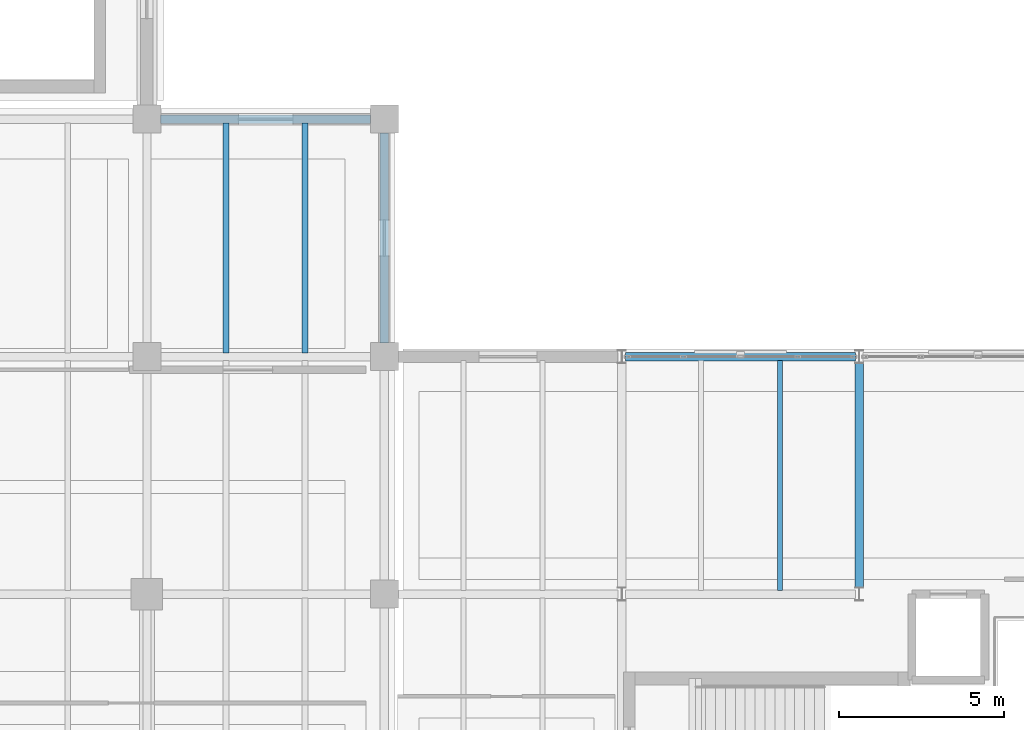
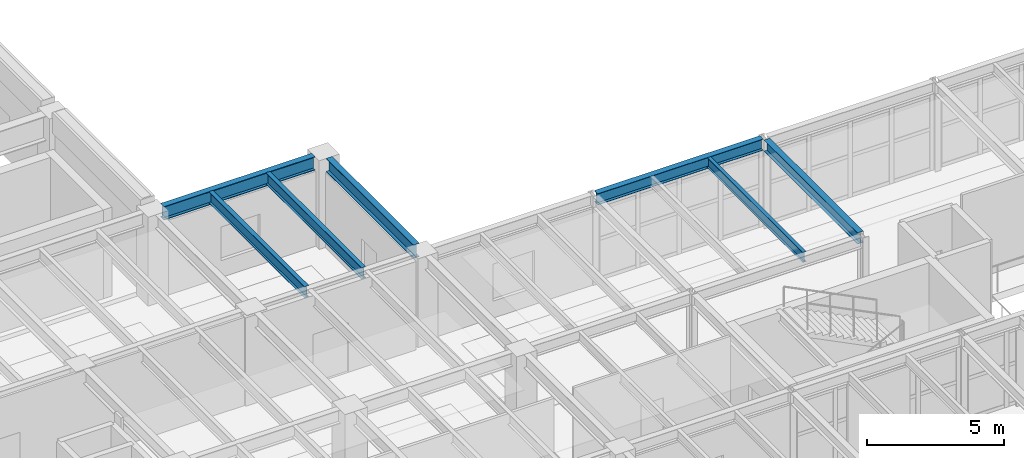
# One storey, part 18 of 59: 7 beams.
"""IFC4 building model written with IfcOpenShell, lengths in metres."""

import ifcopenshell
import ifcopenshell.guid

model = None  # the IFC model being written
_history = None  # IfcOwnerHistory: only IFC2X3 demands one
_inside = {}  # id of a spatial element -> (the spatial element, [elements in it])
_under = {}  # id of a project, library or spatial element -> (it, [spatial elements below it])
_declared = {}  # id of a project -> (the project, [libraries it declares])
_typed = {}  # id of a type object -> (the type object, [elements of that type])
_made_of = {}  # id of a material, layer set ... -> (it, [elements and type objects made of it])


def new_model(schema):
    """Start an empty IFC model of exactly this schema.

    Asked for "IFC4X3", IfcOpenShell would pick the latest addendum, in which some entities
    have other attributes; the version numbers below select the first issue.
    IFC2X3 requires an IfcOwnerHistory on every rooted entity: one is made here for all.
    """
    global model, _history
    if schema == "IFC4X3":
        model = ifcopenshell.file(schema_version=(4, 3, 0, 0))
    else:
        model = ifcopenshell.file(schema=schema)
    _inside.clear()
    _under.clear()
    _declared.clear()
    _typed.clear()
    _made_of.clear()
    _history = None
    if model.schema == "IFC2X3":
        org = make("IfcOrganization", Name="unknown")
        user = make(
            "IfcPersonAndOrganization",
            ThePerson=make("IfcPerson", FamilyName="unknown"),
            TheOrganization=org,
        )
        app = make(
            "IfcApplication",
            ApplicationDeveloper=org,
            Version="unknown",
            ApplicationFullName="unknown",
            ApplicationIdentifier="unknown",
        )
        _history = make(
            "IfcOwnerHistory",
            OwningUser=user,
            OwningApplication=app,
            ChangeAction="ADDED",
            CreationDate=0,
        )
    return model


def make(cls, **values):
    """One entity of the class cls with the attributes given. An attribute that is None is left unset."""
    return model.create_entity(
        cls, **{name: value for name, value in values.items() if value is not None}
    )


def rooted(cls, **values):
    """An entity with a GlobalId (a new one), such as an element, a storey or a relation."""
    return make(cls, GlobalId=ifcopenshell.guid.new(), OwnerHistory=_history, **values)


def si_unit(unit_type, name, prefix=None):
    """IfcSIUnit, for example si_unit("LENGTHUNIT", "METRE", prefix="MILLI")."""
    return make("IfcSIUnit", UnitType=unit_type, Prefix=prefix, Name=name)


def assignment(units):
    """IfcUnitAssignment: the units of a project."""
    return None if units is None else make("IfcUnitAssignment", Units=units)


def point(xyz):
    """IfcCartesianPoint."""
    return None if xyz is None else make("IfcCartesianPoint", Coordinates=xyz)


def direction(xyz):
    """IfcDirection."""
    return None if xyz is None else make("IfcDirection", DirectionRatios=xyz)


def frame(location, z_axis=None, x_axis=None):
    """IfcAxis2Placement3D, a coordinate frame: its origin and axes. An axis left out is left unset."""
    return make(
        "IfcAxis2Placement3D",
        Location=point(location),
        Axis=direction(z_axis),
        RefDirection=direction(x_axis),
    )


def frame_2d(location, x_axis=None):
    """IfcAxis2Placement2D, a coordinate frame in the plane: its origin and x axis."""
    return make(
        "IfcAxis2Placement2D", Location=point(location), RefDirection=direction(x_axis)
    )


def origin():
    """The frame at (0, 0, 0) with its axes left unset."""
    return frame((0.0, 0.0, 0.0))


def origin_2d():
    """The frame at (0, 0) in the plane with its x axis left unset."""
    return frame_2d((0.0, 0.0))


def place(relative_to, where):
    """IfcLocalPlacement: puts the frame where relative to a parent placement (None: the world)."""
    return make(
        "IfcLocalPlacement", PlacementRelTo=relative_to, RelativePlacement=where
    )


def context(
    kind, dimensions, precision=None, world=None, true_north=None, identifier=None
):
    """IfcGeometricRepresentationContext, for example the 3D "Model" context."""
    return make(
        "IfcGeometricRepresentationContext",
        ContextIdentifier=identifier,
        ContextType=kind,
        CoordinateSpaceDimension=dimensions,
        Precision=precision,
        WorldCoordinateSystem=world,
        TrueNorth=true_north,
    )


def subcontext(parent, identifier, kind, view, scale=None):
    """IfcGeometricRepresentationSubContext, for example "Body" below "Model"."""
    return make(
        "IfcGeometricRepresentationSubContext",
        ContextIdentifier=identifier,
        ContextType=kind,
        ParentContext=parent,
        TargetScale=scale,
        TargetView=view,
    )


def project(units=None, contexts=None):
    """IfcProject with its units and contexts."""
    return rooted(
        "IfcProject",
        Name="project",
        RepresentationContexts=contexts,
        UnitsInContext=assignment(units),
    )


def spatial(cls, under=None, at=None, **own):
    """A site, building, storey or space (cls), placed at a placement, below another one or the project."""
    s = rooted(cls, ObjectPlacement=at, **own)
    if under is not None:
        _under.setdefault(under.id(), (under, []))[1].append(s)
    return s


def profile(cls, at=None, kind="AREA", **sizes):
    """A parametric profile (cls). Its sizes go by their IFC names, for example OverallWidth=200.0."""
    return make(cls, ProfileType=kind, Position=at, **sizes)


def i_section(**sizes):
    """IfcIShapeProfileDef."""
    return profile("IfcIShapeProfileDef", **sizes)


def extrude(swept, where, along, depth):
    """IfcExtrudedAreaSolid: the profile swept, set in the frame where, extruded along a direction by depth."""
    return make(
        "IfcExtrudedAreaSolid",
        SweptArea=swept,
        Position=where,
        ExtrudedDirection=direction(along),
        Depth=depth,
    )


def shape(context_of_items, identifier, shape_type, items):
    """IfcShapeRepresentation: the items that make up one representation, for example the "Body"."""
    return make(
        "IfcShapeRepresentation",
        ContextOfItems=context_of_items,
        RepresentationIdentifier=identifier,
        RepresentationType=shape_type,
        Items=items,
    )


def material(Name=None, Category=None):
    """IfcMaterial."""
    return make("IfcMaterial", Name=Name, Category=Category)


def material_profile(
    of_material, cross_section, Name=None, Category=None, Priority=None
):
    """IfcMaterialProfile: a cross section and its material."""
    return make(
        "IfcMaterialProfile",
        Name=Name,
        Material=of_material,
        Profile=cross_section,
        Priority=Priority,
        Category=Category,
    )


def profile_set(profiles, Name=None, composite=None):
    """IfcMaterialProfileSet."""
    return make(
        "IfcMaterialProfileSet",
        Name=Name,
        MaterialProfiles=profiles,
        CompositeProfile=composite,
    )


def made_of(thing, what):
    """Note that an element or type object is made of a material, layer set ...; save() writes the relation."""
    if what is not None:
        _made_of.setdefault(what.id(), (what, []))[1].append(thing)
    return thing


def type_object(cls, material=None, **own):
    """A type object (cls), such as IfcWallType, which elements share."""
    return made_of(rooted(cls, **own), material)


def element(
    cls,
    number,
    at=None,
    inside=None,
    cuts=None,
    type_object=None,
    material=None,
    context=None,
    identifier="Body",
    shape_type=None,
    held_by="IfcProductDefinitionShape",
    body=None,
    shapes=None,
    **own,
):
    """One element of the class cls, such as IfcWall. Its Tag is "e" and its number.

    at: its placement. inside: the storey or other place that contains it. cuts: it is an
    opening in that element (IfcRelVoidsElement). A single representation is given by context,
    identifier, shape_type and body (its items); several are given by shapes. held_by: the class
    of the entity that holds the representations. save() writes the other relations.
    """
    e = rooted(cls, Tag="e%d" % number, ObjectPlacement=at, **own)
    if body is not None:
        shapes = [shape(context, identifier, shape_type, body)]
    if shapes is not None:
        e.Representation = make(held_by, Representations=shapes)
    if inside is not None:
        _inside.setdefault(inside.id(), (inside, []))[1].append(e)
    if cuts is not None:
        rooted(
            "IfcRelVoidsElement", RelatingBuildingElement=cuts, RelatedOpeningElement=e
        )
    if type_object is not None:
        _typed.setdefault(type_object.id(), (type_object, []))[1].append(e)
    return made_of(e, material)


def aggregate(whole, parts):
    """IfcRelAggregates: a whole, such as a stair, and the parts it consists of."""
    return rooted("IfcRelAggregates", RelatingObject=whole, RelatedObjects=parts)


def save(model, path):
    """Write the relations noted so far, then the file.

    IfcRelAggregates (storeys below a building ...), IfcRelContainedInSpatialStructure (elements
    in a storey), IfcRelDefinesByType, IfcRelAssociatesMaterial and IfcRelDeclares: one each for
    every whole, place, type object, material and project.
    """
    for whole, parts in _under.values():
        aggregate(whole, parts)
    for where, things in _inside.values():
        rooted(
            "IfcRelContainedInSpatialStructure",
            RelatedElements=things,
            RelatingStructure=where,
        )
    for kind, things in _typed.values():
        rooted("IfcRelDefinesByType", RelatedObjects=things, RelatingType=kind)
    for what, things in _made_of.values():
        rooted("IfcRelAssociatesMaterial", RelatedObjects=things, RelatingMaterial=what)
    for by, libraries in _declared.values():
        rooted("IfcRelDeclares", RelatingContext=by, RelatedDefinitions=libraries)
    model.write(path)


model = new_model("IFC4")

# Units and contexts
model_context = context("Model", 3, precision=1e-05, world=origin(), true_north=direction((0.0, 1.0)))
body_context = subcontext(model_context, "Body", "Model", "MODEL_VIEW")
ifc_project = project(units=[si_unit("LENGTHUNIT", "METRE"), si_unit("AREAUNIT", "SQUARE_METRE"), si_unit("VOLUMEUNIT", "CUBIC_METRE"), si_unit("PLANEANGLEUNIT", "RADIAN"), si_unit("MASSUNIT", "GRAM", prefix="KILO")], contexts=[model_context])

# Site, building, storey
site_placement = place(None, origin())
site = spatial("IfcSite", under=ifc_project, at=site_placement, CompositionType="ELEMENT")
building_placement = place(site_placement, origin())
building = spatial("IfcBuilding", under=site, at=building_placement, Name="Kandorven Conservatory and Botanical Research Centre", CompositionType="ELEMENT")
storey_placement = place(building_placement, frame((0.0, 0.0, 4.800048828125)))
storey = spatial("IfcBuildingStorey", under=building, at=storey_placement, Name="L01", CompositionType="ELEMENT", Elevation=4.800048828125)

# Beams
ifc_material_1 = material(Name="Steel S355 (IS 2062 E350)", Category="steel")
ifc_material_profile_1 = material_profile(ifc_material_1, i_section(OverallWidth=0.25, OverallDepth=0.60009765625, WebThickness=0.01171875, FlangeThickness=0.023681640625, at=origin_2d()))
ifc_profile_set_1 = profile_set([ifc_material_profile_1], Name="Steel S355 (IS 2062 E350)")
beam_type_1 = type_object("IfcBeamType", Name="Beam_FG-01", PredefinedType="USERDEFINED", material=ifc_profile_set_1)
beam_1_placement = place(storey_placement, frame((35.215087890625, 34.800048828125, 3.64990234375), z_axis=(1.0, 0.0, 0.0), x_axis=(0.0, 1.0, 0.0)))
element("IfcBeam", 1, at=beam_1_placement, inside=storey, type_object=beam_type_1, Name="Primary girder FG-01 TWR L01", ObjectType="GIRDER", PredefinedType="USERDEFINED", context=body_context, shape_type="SweptSolid", body=[
    extrude(i_section(OverallWidth=0.25, OverallDepth=0.60009765625, WebThickness=0.01171875, FlangeThickness=0.023681640625, at=origin_2d()), origin(), (0.0, 0.0, 1.0), 6.369873046875),
])
beam_2_placement = place(storey_placement, frame((42.0, 28.014892578125, 3.64990234375), z_axis=(0.0, 1.0, 0.0), x_axis=(-1.0, 0.0, 0.0)))
element("IfcBeam", 2, at=beam_2_placement, inside=storey, type_object=beam_type_1, Name="Primary girder FG-01 TWR L01", ObjectType="GIRDER", PredefinedType="USERDEFINED", context=body_context, shape_type="SweptSolid", body=[
    extrude(i_section(OverallWidth=0.25, OverallDepth=0.60009765625, WebThickness=0.01171875, FlangeThickness=0.023681640625, at=origin_2d()), origin(), (0.0, 0.0, 1.0), 6.3701171875),
])
ifc_material_2 = material(Name="Steel S355 (IS 2062 E350)", Category="steel")
ifc_material_profile_2 = material_profile(ifc_material_2, i_section(OverallWidth=0.25, OverallDepth=0.5, WebThickness=0.010009765625, FlangeThickness=0.0146484375, at=origin_2d()))
ifc_profile_set_2 = profile_set([ifc_material_profile_2], Name="Steel S355 (IS 2062 E350)")
beam_type_2 = type_object("IfcBeamType", Name="Beam_FG-02", PredefinedType="USERDEFINED", material=ifc_profile_set_2)
beam_3_placement = place(storey_placement, frame((49.31494140625, 27.60009765625, 3.699951171875), z_axis=(1.0, 0.0, 0.0), x_axis=(0.0, 1.0, 0.0)))
element("IfcBeam", 3, at=beam_3_placement, inside=storey, type_object=beam_type_2, Name="Primary girder FG-02 VIS L01", ObjectType="GIRDER", PredefinedType="USERDEFINED", context=body_context, shape_type="SweptSolid", body=[
    extrude(i_section(OverallWidth=0.25, OverallDepth=0.5, WebThickness=0.010009765625, FlangeThickness=0.0146484375, at=origin_2d()), origin(), (0.0, 0.0, 1.0), 6.969970703125),
])
beam_4_placement = place(storey_placement, frame((56.39990234375, 20.590087890625, 3.699951171875), z_axis=(0.0, 1.0, 0.0), x_axis=(-1.0, 0.0, 0.0)))
element("IfcBeam", 4, at=beam_4_placement, inside=storey, type_object=beam_type_2, Name="Primary girder FG-02 VIS L01", ObjectType="GIRDER", PredefinedType="USERDEFINED", context=body_context, shape_type="SweptSolid", body=[
    extrude(i_section(OverallWidth=0.25, OverallDepth=0.5, WebThickness=0.010009765625, FlangeThickness=0.0146484375, at=origin_2d()), origin(), (0.0, 0.0, 1.0), 6.81982421875),
])
ifc_material_3 = material(Name="Steel S355 (IS 2062 E350)", Category="steel")
ifc_material_profile_3 = material_profile(ifc_material_3, i_section(OverallWidth=0.179931640625, OverallDepth=0.5, WebThickness=0.01025390625, FlangeThickness=0.01708984375, at=origin_2d()))
ifc_profile_set_3 = profile_set([ifc_material_profile_3], Name="Steel S355 (IS 2062 E350)")
beam_type_3 = type_object("IfcBeamType", Name="Beam_SB-03", PredefinedType="BEAM", material=ifc_profile_set_3)
for number, where, z_axis, x_axis, name in (
    (5, (37.199951171875, 27.7099609375, 3.699951171875), (0.0, 1.0, 0.0), (-1.0, 0.0, 0.0), "Composite secondary beam SB-03 TWR L01"),
    (6, (39.60009765625, 27.7099609375, 3.699951171875), (0.0, 1.0, 0.0), (-1.0, 0.0, 0.0), "Composite secondary beam SB-03 TWR L01"),
):
    element("IfcBeam", number, at=place(storey_placement, frame(where, z_axis=z_axis, x_axis=x_axis)), inside=storey, type_object=beam_type_3, Name=name, PredefinedType="BEAM", context=body_context, shape_type="SweptSolid", body=[
        extrude(i_section(OverallWidth=0.179931640625, OverallDepth=0.5, WebThickness=0.01025390625, FlangeThickness=0.01708984375, at=origin_2d()), origin(), (0.0, 0.0, 1.0), 6.97998046875),
    ])
ifc_material_4 = material(Name="Steel S355 (IS 2062 E350)", Category="steel")
ifc_material_profile_4 = material_profile(ifc_material_4, i_section(OverallWidth=0.14990234375, OverallDepth=0.449951171875, WebThickness=0.009521484375, FlangeThickness=0.017333984375, at=origin_2d()))
ifc_profile_set_4 = profile_set([ifc_material_profile_4], Name="Steel S355 (IS 2062 E350)")
beam_type_4 = type_object("IfcBeamType", Name="Beam_SB-04", PredefinedType="BEAM", material=ifc_profile_set_4)
beam_5_placement = place(storey_placement, frame((54.0, 20.510009765625, 3.724853515625), z_axis=(0.0, 1.0, 0.0), x_axis=(-1.0, 0.0, 0.0)))
element("IfcBeam", 7, at=beam_5_placement, inside=storey, type_object=beam_type_4, Name="Composite secondary beam SB-04 VIS L01", PredefinedType="BEAM", context=body_context, shape_type="SweptSolid", body=[
    extrude(i_section(OverallWidth=0.14990234375, OverallDepth=0.449951171875, WebThickness=0.009521484375, FlangeThickness=0.017333984375, at=origin_2d()), origin(), (0.0, 0.0, 1.0), 6.97998046875),
])

save(model, "model.ifc")
